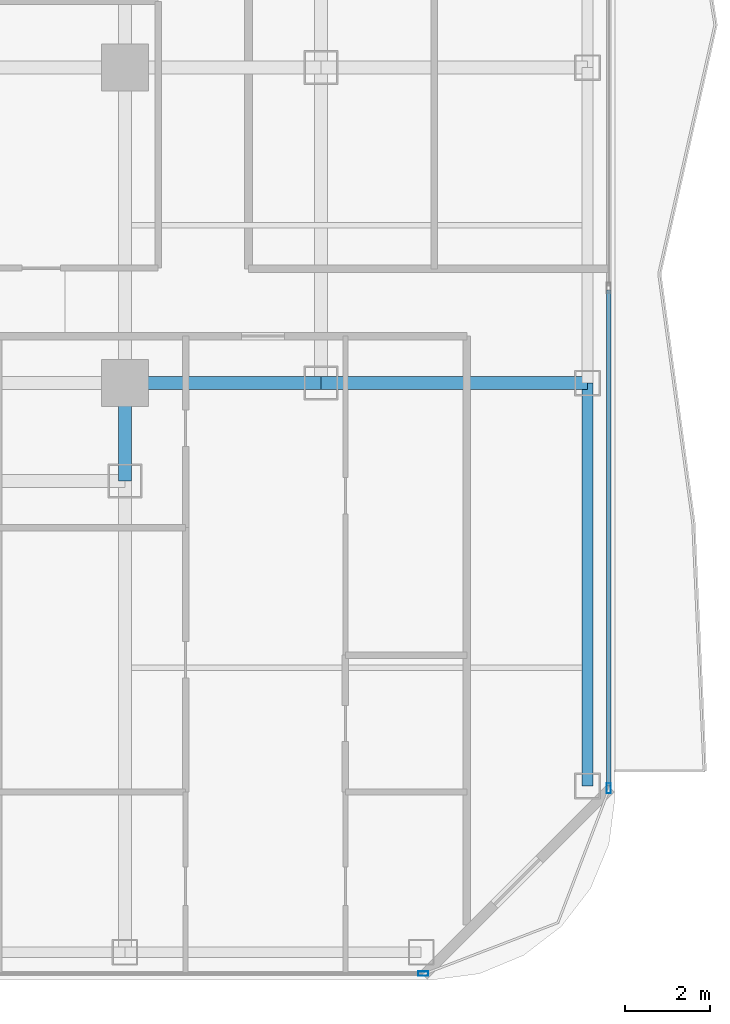
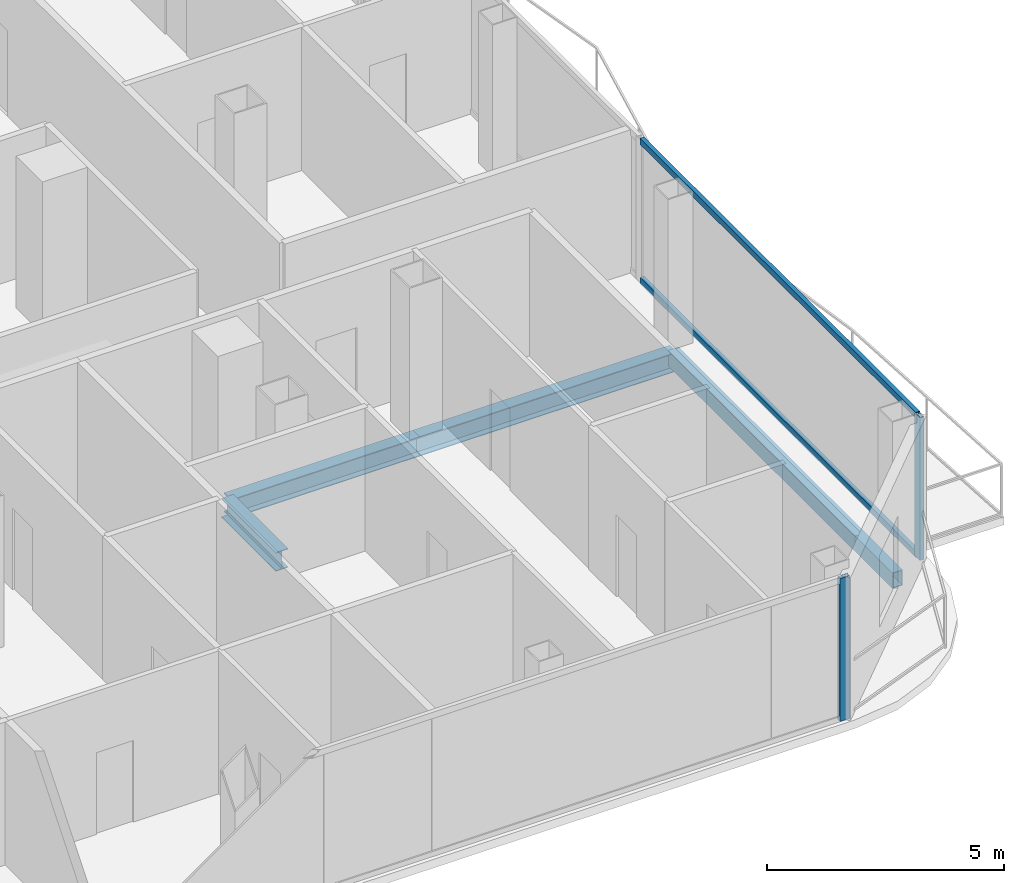
# One storey, part 10 of 26: 4 beams, 4 members, 2 elements without a shape of their own.
"""IFC4 building model written with IfcOpenShell, lengths in metres."""

from ifc_helpers import new_model, si_unit, direction, frame, origin, origin_2d, place, context, subcontext, project, spatial, hollow_rectangle, i_section, extrude, material, layer, layer_set, material_profile, profile_set, type_object, element, aggregate, save


model = new_model("IFC4")

# Units and contexts
model_context = context("Model", 3, precision=1e-05, world=origin(), true_north=direction((0.0, 1.0)))
body_context = subcontext(model_context, "Body", "Model", "MODEL_VIEW")
ifc_project = project(units=[si_unit("LENGTHUNIT", "METRE"), si_unit("AREAUNIT", "SQUARE_METRE"), si_unit("VOLUMEUNIT", "CUBIC_METRE"), si_unit("PLANEANGLEUNIT", "RADIAN"), si_unit("MASSUNIT", "GRAM", prefix="KILO")], contexts=[model_context])

# Site, building, storey
site_placement = place(None, origin())
site = spatial("IfcSite", under=ifc_project, at=site_placement, CompositionType="ELEMENT")
building_placement = place(site_placement, origin())
building = spatial("IfcBuilding", under=site, at=building_placement, Name="Khorvyn Point Tower", CompositionType="ELEMENT")
storey_placement = place(building_placement, frame((0.0, 0.0, 223.5)))
storey = spatial("IfcBuildingStorey", under=building, at=storey_placement, Name="L55", CompositionType="ELEMENT", Elevation=223.5)

# Curtain wall, member
ifc_material_1 = material(Name="Anodised aluminium 6063-T6 and laminated Low-E glass", Category="aluminium")
ifc_layer = layer(ifc_material_1, 0.18994140625)
ifc_layer_set = layer_set([ifc_layer], Name="Stick-Built Acoustic Curtain Wall CW-SYS-03")
curtain_wall_type = type_object("IfcCurtainWallType", Name="Stick-Built Acoustic Curtain Wall CW-SYS-03", PredefinedType="NOTDEFINED", material=ifc_layer_set)
curtain_wall_1_placement = place(storey_placement, origin())
curtain_wall_1 = element("IfcCurtainWall", 1, at=curtain_wall_1_placement, inside=storey, type_object=curtain_wall_type, Name="Curtain Wall", PredefinedType="NOTDEFINED")
ifc_material_2 = material(Name="Anodised aluminium 6063-T6", Category="aluminium")
ifc_material_profile_1 = material_profile(ifc_material_2, hollow_rectangle(XDim=0.10009765625, YDim=0.239990234375, WallThickness=0.0048828125, at=origin_2d()))
ifc_profile_set_1 = profile_set([ifc_material_profile_1], Name="Anodised aluminium 6063-T6 ALU-MUL-100x240")
member_type_1 = type_object("IfcMemberType", Name="Anodised Aluminium 6063-T6 Mullion ALU-MUL-100x240", PredefinedType="MULLION", material=ifc_profile_set_1)
member_1_placement = place(storey_placement, frame((21.800048828125, -28.64990234375, 0.0), z_axis=(0.0, 0.0, 1.0), x_axis=(0.0, -1.0, 0.0)))
member_1 = element("IfcMember", 2, at=member_1_placement, type_object=member_type_1, Name="Transom", PredefinedType="MULLION", context=body_context, shape_type="SweptSolid", body=[
    extrude(hollow_rectangle(XDim=0.10009765625, YDim=0.239990234375, WallThickness=0.0048828125, at=origin_2d()), origin(), (0.0, 0.0, 1.0), 3.679931640625),
])
aggregate(curtain_wall_1, [member_1])

# Curtain wall, members
curtain_wall_2_placement = place(storey_placement, origin())
curtain_wall_2 = element("IfcCurtainWall", 3, at=curtain_wall_2_placement, inside=storey, type_object=curtain_wall_type, Name="Curtain Wall", PredefinedType="NOTDEFINED")
member_2_placement = place(storey_placement, frame((26.14990234375, -24.300048828125, 0.0), z_axis=(0.0, 0.0, 1.0), x_axis=(1.0, 0.0, 0.0)))
member_2 = element("IfcMember", 4, at=member_2_placement, type_object=member_type_1, Name="Transom", PredefinedType="MULLION", context=body_context, shape_type="SweptSolid", body=[
    extrude(hollow_rectangle(XDim=0.10009765625, YDim=0.239990234375, WallThickness=0.0048828125, at=origin_2d()), origin(), (0.0, 0.0, 1.0), 3.679931640625),
])
ifc_material_profile_2 = material_profile(ifc_material_2, hollow_rectangle(XDim=0.10009765625, YDim=0.159912109375, WallThickness=0.00439453125, at=origin_2d()))
ifc_profile_set_2 = profile_set([ifc_material_profile_2], Name="Anodised aluminium 6063-T6 ALU-TRN-100x160")
member_type_2 = type_object("IfcMemberType", Name="Anodised Aluminium 6063-T6 Transom ALU-TRN-100x160", PredefinedType="USERDEFINED", material=ifc_profile_set_2)
member_3_placement = place(storey_placement, frame((26.14990234375, -12.617431640625, 0.050048828125), z_axis=(0.0, -1.0, 0.0), x_axis=(1.0, 0.0, 0.0)))
member_3 = element("IfcMember", 5, at=member_3_placement, type_object=member_type_2, Name="Transom", ObjectType="TRANSOM", PredefinedType="USERDEFINED", context=body_context, shape_type="SweptSolid", body=[
    extrude(hollow_rectangle(XDim=0.10009765625, YDim=0.159912109375, WallThickness=0.00439453125, at=origin_2d()), origin(), (0.0, 0.0, 1.0), 11.632568359375),
])
member_4_placement = place(storey_placement, frame((26.14990234375, -12.617431640625, 3.6298828125), z_axis=(0.0, -1.0, 0.0), x_axis=(1.0, 0.0, 0.0)))
member_4 = element("IfcMember", 6, at=member_4_placement, type_object=member_type_2, Name="Transom", ObjectType="TRANSOM", PredefinedType="USERDEFINED", context=body_context, shape_type="SweptSolid", body=[
    extrude(hollow_rectangle(XDim=0.10009765625, YDim=0.159912109375, WallThickness=0.00439453125, at=origin_2d()), origin(), (0.0, 0.0, 1.0), 11.632568359375),
])
aggregate(curtain_wall_2, [member_2, member_3, member_4])

# Beams
ifc_material_3 = material(Name="Steel S355", Category="steel")
ifc_material_profile_3 = material_profile(ifc_material_3, i_section(OverallWidth=0.300048828125, OverallDepth=0.488037109375, WebThickness=0.010986328125, FlangeThickness=0.01806640625, at=origin_2d()))
ifc_profile_set_3 = profile_set([ifc_material_profile_3], Name="Steel S355 H488x300x11x18")
beam_type_1 = type_object("IfcBeamType", Name="Steel S355 Spandrel H488x300x11x18", PredefinedType="SPANDREL", material=ifc_profile_set_3)
beam_1_placement = place(storey_placement, frame((14.800048828125, -14.800048828125, -0.464111328125), z_axis=(1.0, 0.0, 0.0), x_axis=(0.0, 1.0, 0.0)))
element("IfcBeam", 7, at=beam_1_placement, inside=storey, type_object=beam_type_1, Name="Beam", PredefinedType="SPANDREL", context=body_context, shape_type="SweptSolid", body=[
    extrude(i_section(OverallWidth=0.300048828125, OverallDepth=0.488037109375, WebThickness=0.010986328125, FlangeThickness=0.01806640625, at=origin_2d()), origin(), (0.0, 0.0, 1.0), 4.599853515625),
])
beam_2_placement = place(storey_placement, frame((19.39990234375, -14.800048828125, -0.464111328125), z_axis=(1.0, 0.0, 0.0), x_axis=(0.0, 1.0, 0.0)))
element("IfcBeam", 8, at=beam_2_placement, inside=storey, type_object=beam_type_1, Name="Beam", PredefinedType="SPANDREL", context=body_context, shape_type="SweptSolid", body=[
    extrude(i_section(OverallWidth=0.300048828125, OverallDepth=0.488037109375, WebThickness=0.010986328125, FlangeThickness=0.01806640625, at=origin_2d()), origin(), (0.0, 0.0, 1.0), 6.25),
])
beam_3_placement = place(storey_placement, frame((14.800048828125, -17.10009765625, -0.464111328125), z_axis=(0.0, 1.0, 0.0), x_axis=(-1.0, 0.0, 0.0)))
element("IfcBeam", 9, at=beam_3_placement, inside=storey, type_object=beam_type_1, Name="Beam", PredefinedType="SPANDREL", context=body_context, shape_type="SweptSolid", body=[
    extrude(i_section(OverallWidth=0.300048828125, OverallDepth=0.488037109375, WebThickness=0.010986328125, FlangeThickness=0.01806640625, at=origin_2d()), origin(), (0.0, 0.0, 1.0), 2.300048828125),
])
ifc_material_profile_4 = material_profile(ifc_material_3, hollow_rectangle(XDim=0.25, YDim=0.39990234375, WallThickness=0.01611328125, at=origin_2d()))
ifc_profile_set_4 = profile_set([ifc_material_profile_4], Name="Steel S355 RHS400x250x16")
beam_type_2 = type_object("IfcBeamType", Name="Steel S355 Spandrel RHS400x250x16", PredefinedType="SPANDREL", material=ifc_profile_set_4)
beam_4_placement = place(storey_placement, frame((25.64990234375, -24.25, -0.419921875), z_axis=(0.0, 1.0, 0.0), x_axis=(-1.0, 0.0, 0.0)))
element("IfcBeam", 10, at=beam_4_placement, inside=storey, type_object=beam_type_2, Name="Beam", PredefinedType="SPANDREL", context=body_context, shape_type="SweptSolid", body=[
    extrude(hollow_rectangle(XDim=0.25, YDim=0.39990234375, WallThickness=0.01611328125, at=origin_2d()), origin(), (0.0, 0.0, 1.0), 9.449951171875),
])

save(model, "model.ifc")
